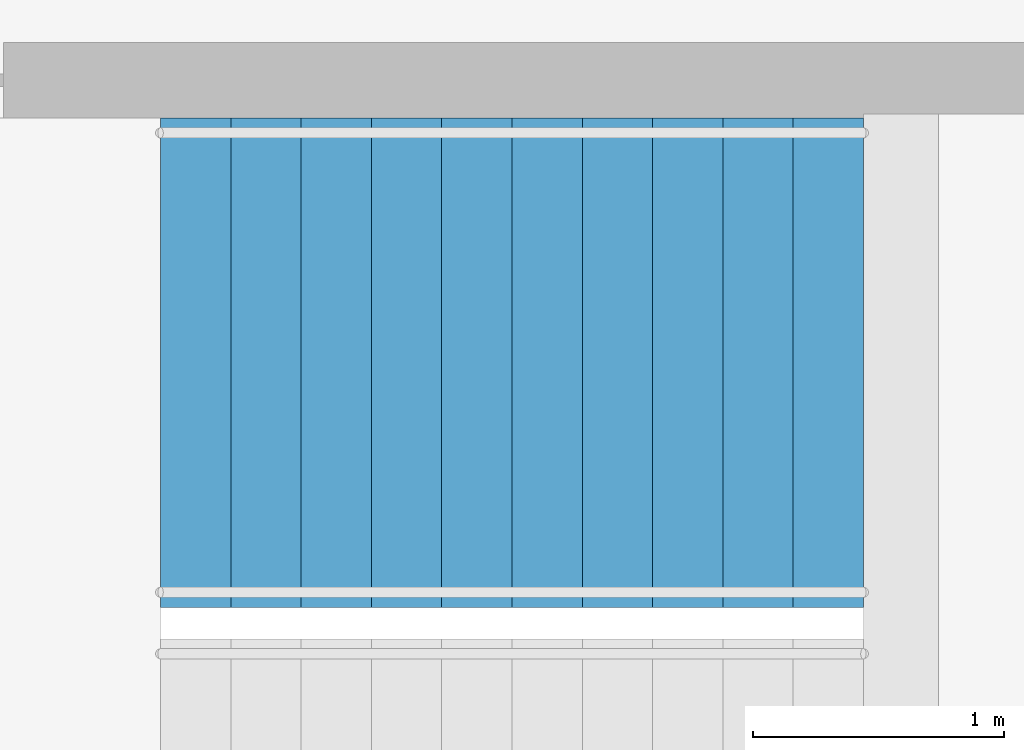
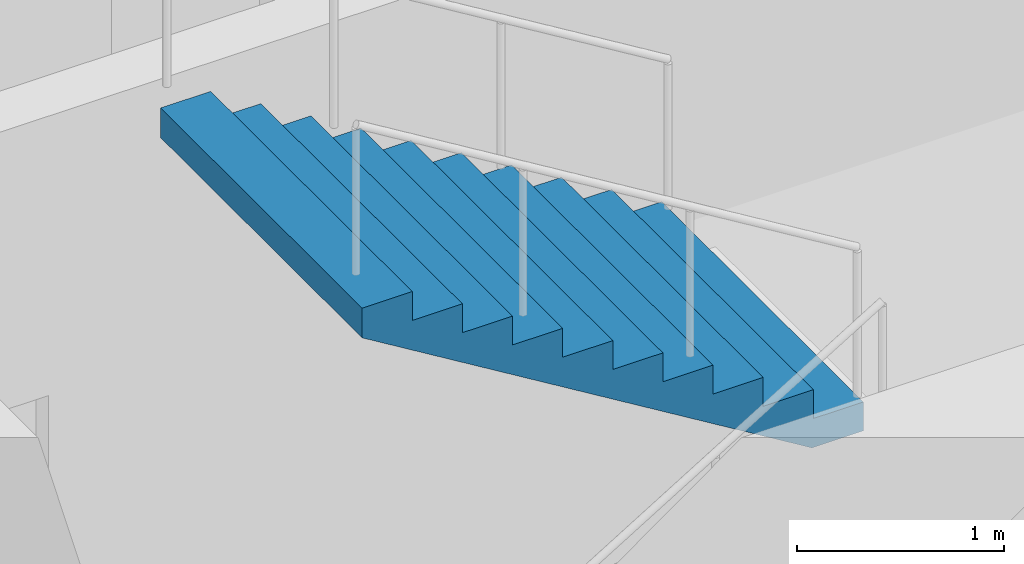
# One storey, part 23 of 27: 1 stair flight, 1 element without a shape of its own.
"""IFC4 building model written with IfcOpenShell, lengths in metres."""

from ifc_helpers import new_model, si_unit, direction, frame, origin, place, context, subcontext, project, spatial, triangles, material, type_object, element, aggregate, save


model = new_model("IFC4")

# Units and contexts
model_context = context("Model", 3, precision=1e-05, world=origin(), true_north=direction((0.0, 1.0)))
body_context = subcontext(model_context, "Body", "Model", "MODEL_VIEW")
ifc_project = project(units=[si_unit("LENGTHUNIT", "METRE"), si_unit("AREAUNIT", "SQUARE_METRE"), si_unit("VOLUMEUNIT", "CUBIC_METRE"), si_unit("PLANEANGLEUNIT", "RADIAN"), si_unit("MASSUNIT", "GRAM", prefix="KILO")], contexts=[model_context])

# Site, building, storey
site_placement = place(None, origin())
site = spatial("IfcSite", under=ifc_project, at=site_placement, CompositionType="ELEMENT")
building_placement = place(site_placement, origin())
building = spatial("IfcBuilding", under=site, at=building_placement, Name="Orbita Commons", CompositionType="ELEMENT")
storey_placement = place(building_placement, frame((0.0, 0.0, 178.60009765625)))
storey = spatial("IfcBuildingStorey", under=building, at=storey_placement, Name="L44", CompositionType="ELEMENT", Elevation=178.60009765625)

# Stair, stair flight
ifc_material_1 = material(Name="Precast concrete C40/50", Category="concrete")
stair_type = type_object("IfcStairType", Name="Exit stair S1 2 flights 11 risers 170", PredefinedType="HALF_TURN_STAIR", material=ifc_material_1)
stair_placement = place(storey_placement, origin())
stair = element("IfcStair", 1, at=stair_placement, inside=storey, type_object=stair_type, Name="Exit stair S1 L44", PredefinedType="HALF_TURN_STAIR")
ifc_material_2 = material(Name="Precast concrete C40/50", Category="concrete")
stair_flight_type = type_object("IfcStairFlightType", Name="Stair flight 11 risers 170 x 280", PredefinedType="STRAIGHT", material=ifc_material_2)
stair_flight_placement = place(storey_placement, frame((23.25, 29.27490234375, 1.875), z_axis=(0.0, 0.0, 1.0), x_axis=(-1.0, 0.0, 0.0)))
stair_flight = element("IfcStairFlight", 2, at=stair_flight_placement, type_object=stair_flight_type, Name="S1 flight 2", NumberOfRisers=11, NumberOfTreads=10, PredefinedType="STRAIGHT", RiserHeight=0.170454545, TreadLength=0.28, context=body_context, shape_type="Tessellation", body=[
    triangles([(0.0, 0.974976, 0.0), (0.0, 0.974976, 0.021307), (0.0, 0.81248, 0.021307), (0.0, 0.81248, 0.0), (0.0, 0.649984, 0.021307), (0.0, 0.649984, 0.0), (0.0, 0.487488, 0.021307), (0.0, 0.487488, 0.0), (0.0, 0.324992, 0.021307), (0.0, 0.324992, 0.0), (0.0, 0.162496, 0.021307), (0.0, 0.162496, 0.0), (0.0, 0.0, 0.021307), (0.0, 0.0, 0.0), (0.0, -0.162496, 0.021307), (0.0, -0.162496, 0.0), (0.0, -0.324992, 0.021307), (0.0, -0.324992, 0.0), (0.0, -0.487488, 0.021307), (0.0, -0.487488, 0.0), (0.0, -0.649984, 0.021307), (0.0, -0.649984, 0.0), (0.0, -0.81248, 0.021307), (0.0, -0.81248, 0.0), (0.0, -0.974976, 0.021307), (0.0, -0.974976, 0.0), (0.0, 0.974976, 0.042614), (0.0, 0.81248, 0.042614), (0.0, 0.649984, 0.042614), (0.0, 0.487488, 0.042614), (0.0, 0.324992, 0.042614), (0.0, 0.162496, 0.042614), (0.0, 0.0, 0.042614), (0.0, -0.162496, 0.042614), (0.0, -0.324992, 0.042614), (0.0, -0.487488, 0.042614), (0.0, -0.649984, 0.042614), (0.0, -0.81248, 0.042614), (0.0, -0.974976, 0.042614), (0.0, 0.974976, 0.06392), (0.0, 0.81248, 0.06392), (0.0, 0.649984, 0.06392), (0.0, 0.487488, 0.06392), (0.0, 0.324992, 0.06392), (0.0, 0.162496, 0.06392), (0.0, 0.0, 0.06392), (0.0, -0.162496, 0.06392), (0.0, -0.324992, 0.06392), (0.0, -0.487488, 0.06392), (0.0, -0.649984, 0.06392), (0.0, -0.81248, 0.06392), (0.0, -0.974976, 0.06392), (0.0, 0.974976, 0.085227), (0.0, 0.81248, 0.085227), (0.0, 0.649984, 0.085227), (0.0, 0.487488, 0.085227), (0.0, 0.324992, 0.085227), (0.0, 0.162496, 0.085227), (0.0, 0.0, 0.085227), (0.0, -0.162496, 0.085227), (0.0, -0.324992, 0.085227), (0.0, -0.487488, 0.085227), (0.0, -0.649984, 0.085227), (0.0, -0.81248, 0.085227), (0.0, -0.974976, 0.085227), (0.0, 0.974976, 0.106534), (0.0, 0.81248, 0.106534), (0.0, 0.649984, 0.106534), (0.0, 0.487488, 0.106534), (0.0, 0.324992, 0.106534), (0.0, 0.162496, 0.106534), (0.0, 0.0, 0.106534), (0.0, -0.162496, 0.106534), (0.0, -0.324992, 0.106534), (0.0, -0.487488, 0.106534), (0.0, -0.649984, 0.106534), (0.0, -0.81248, 0.106534), (0.0, -0.974976, 0.106534), (0.0, 0.974976, 0.127841), (0.0, 0.81248, 0.127841), (0.0, 0.649984, 0.127841), (0.0, 0.487488, 0.127841), (0.0, 0.324992, 0.127841), (0.0, 0.162496, 0.127841), (0.0, 0.0, 0.127841), (0.0, -0.162496, 0.127841), (0.0, -0.324992, 0.127841), (0.0, -0.487488, 0.127841), (0.0, -0.649984, 0.127841), (0.0, -0.81248, 0.127841), (0.0, -0.974976, 0.127841), (0.0, 0.974976, 0.149148), (0.0, 0.81248, 0.149148), (0.0, 0.649984, 0.149148), (0.0, 0.487488, 0.149148), (0.0, 0.324992, 0.149148), (0.0, 0.162496, 0.149148), (0.0, 0.0, 0.149148), (0.0, -0.162496, 0.149148), (0.0, -0.324992, 0.149148), (0.0, -0.487488, 0.149148), (0.0, -0.649984, 0.149148), (0.0, -0.81248, 0.149148), (0.0, -0.974976, 0.149148), (0.0, 0.974976, 0.170455), (0.0, 0.81248, 0.170455), (0.0, 0.649984, 0.170455), (0.0, 0.487488, 0.170455), (0.0, 0.324992, 0.170455), (0.0, 0.162496, 0.170455), (0.0, 0.0, 0.170455), (0.0, -0.162496, 0.170455), (0.0, -0.324992, 0.170455), (0.0, -0.487488, 0.170455), (0.0, -0.649984, 0.170455), (0.0, -0.81248, 0.170455), (0.0, -0.974976, 0.170455), (0.28, 0.974976, 0.170455), (0.28, 0.81248, 0.170455), (0.28, 0.649984, 0.170455), (0.28, 0.487488, 0.170455), (0.28, 0.324992, 0.170455), (0.28, 0.162496, 0.170455), (0.28, 0.0, 0.170455), (0.28, -0.162496, 0.170455), (0.28, -0.324992, 0.170455), (0.28, -0.487488, 0.170455), (0.28, -0.649984, 0.170455), (0.28, -0.81248, 0.170455), (0.28, -0.974976, 0.170455), (0.28, 0.974976, 0.340909), (0.28, 0.81248, 0.340909), (0.28, 0.649984, 0.340909), (0.28, 0.487488, 0.340909), (0.28, 0.324992, 0.340909), (0.28, 0.162496, 0.340909), (0.28, 0.0, 0.340909), (0.28, -0.162496, 0.340909), (0.28, -0.324992, 0.340909), (0.28, -0.487488, 0.340909), (0.28, -0.649984, 0.340909), (0.28, -0.81248, 0.340909), (0.28, -0.974976, 0.340909), (0.56, 0.974976, 0.340909), (0.56, 0.81248, 0.340909), (0.56, 0.649984, 0.340909), (0.56, 0.487488, 0.340909), (0.56, 0.324992, 0.340909), (0.56, 0.162496, 0.340909), (0.56, 0.0, 0.340909), (0.56, -0.162496, 0.340909), (0.56, -0.324992, 0.340909), (0.56, -0.487488, 0.340909), (0.56, -0.649984, 0.340909), (0.56, -0.81248, 0.340909), (0.56, -0.974976, 0.340909), (0.56, 0.974976, 0.511364), (0.56, 0.81248, 0.511364), (0.56, 0.649984, 0.511364), (0.56, 0.487488, 0.511364), (0.56, 0.324992, 0.511364), (0.56, 0.162496, 0.511364), (0.56, 0.0, 0.511364), (0.56, -0.162496, 0.511364), (0.56, -0.324992, 0.511364), (0.56, -0.487488, 0.511364), (0.56, -0.649984, 0.511364), (0.56, -0.81248, 0.511364), (0.56, -0.974976, 0.511364), (0.84, 0.974976, 0.511364), (0.84, 0.81248, 0.511364), (0.84, 0.649984, 0.511364), (0.84, 0.487488, 0.511364), (0.84, 0.324992, 0.511364), (0.84, 0.162496, 0.511364), (0.84, 0.0, 0.511364), (0.84, -0.162496, 0.511364), (0.84, -0.324992, 0.511364), (0.84, -0.487488, 0.511364), (0.84, -0.649984, 0.511364), (0.84, -0.81248, 0.511364), (0.84, -0.974976, 0.511364), (0.84, 0.974976, 0.681818), (0.84, 0.81248, 0.681818), (0.84, 0.649984, 0.681818), (0.84, 0.487488, 0.681818), (0.84, 0.324992, 0.681818), (0.84, 0.162496, 0.681818), (0.84, 0.0, 0.681818), (0.84, -0.162496, 0.681818), (0.84, -0.324992, 0.681818), (0.84, -0.487488, 0.681818), (0.84, -0.649984, 0.681818), (0.84, -0.81248, 0.681818), (0.84, -0.974976, 0.681818), (1.12, 0.974976, 0.681818), (1.12, 0.81248, 0.681818), (1.12, 0.649984, 0.681818), (1.12, 0.487488, 0.681818), (1.12, 0.324992, 0.681818), (1.12, 0.162496, 0.681818), (1.12, 0.0, 0.681818), (1.12, -0.162496, 0.681818), (1.12, -0.324992, 0.681818), (1.12, -0.487488, 0.681818), (1.12, -0.649984, 0.681818), (1.12, -0.81248, 0.681818), (1.12, -0.974976, 0.681818), (1.12, 0.974976, 0.852273), (1.12, 0.81248, 0.852273), (1.12, 0.649984, 0.852273), (1.12, 0.487488, 0.852273), (1.12, 0.324992, 0.852273), (1.12, 0.162496, 0.852273), (1.12, 0.0, 0.852273), (1.12, -0.162496, 0.852273), (1.12, -0.324992, 0.852273), (1.12, -0.487488, 0.852273), (1.12, -0.649984, 0.852273), (1.12, -0.81248, 0.852273), (1.12, -0.974976, 0.852273), (1.4, 0.974976, 0.852273), (1.4, 0.81248, 0.852273), (1.4, 0.649984, 0.852273), (1.4, 0.487488, 0.852273), (1.4, 0.324992, 0.852273), (1.4, 0.162496, 0.852273), (1.4, 0.0, 0.852273), (1.4, -0.162496, 0.852273), (1.4, -0.324992, 0.852273), (1.4, -0.487488, 0.852273), (1.4, -0.649984, 0.852273), (1.4, -0.81248, 0.852273), (1.4, -0.974976, 0.852273), (1.4, 0.974976, 1.022727), (1.4, 0.81248, 1.022727), (1.4, 0.649984, 1.022727), (1.4, 0.487488, 1.022727), (1.4, 0.324992, 1.022727), (1.4, 0.162496, 1.022727), (1.4, 0.0, 1.022727), (1.4, -0.162496, 1.022727), (1.4, -0.324992, 1.022727), (1.4, -0.487488, 1.022727), (1.4, -0.649984, 1.022727), (1.4, -0.81248, 1.022727), (1.4, -0.974976, 1.022727), (1.68, 0.974976, 1.022727), (1.68, 0.81248, 1.022727), (1.68, 0.649984, 1.022727), (1.68, 0.487488, 1.022727), (1.68, 0.324992, 1.022727), (1.68, 0.162496, 1.022727), (1.68, 0.0, 1.022727), (1.68, -0.162496, 1.022727), (1.68, -0.324992, 1.022727), (1.68, -0.487488, 1.022727), (1.68, -0.649984, 1.022727), (1.68, -0.81248, 1.022727), (1.68, -0.974976, 1.022727), (1.68, 0.974976, 1.193182), (1.68, 0.81248, 1.193182), (1.68, 0.649984, 1.193182), (1.68, 0.487488, 1.193182), (1.68, 0.324992, 1.193182), (1.68, 0.162496, 1.193182), (1.68, 0.0, 1.193182), (1.68, -0.162496, 1.193182), (1.68, -0.324992, 1.193182), (1.68, -0.487488, 1.193182), (1.68, -0.649984, 1.193182), (1.68, -0.81248, 1.193182), (1.68, -0.974976, 1.193182), (1.96, 0.974976, 1.193182), (1.96, 0.81248, 1.193182), (1.96, 0.649984, 1.193182), (1.96, 0.487488, 1.193182), (1.96, 0.324992, 1.193182), (1.96, 0.162496, 1.193182), (1.96, 0.0, 1.193182), (1.96, -0.162496, 1.193182), (1.96, -0.324992, 1.193182), (1.96, -0.487488, 1.193182), (1.96, -0.649984, 1.193182), (1.96, -0.81248, 1.193182), (1.96, -0.974976, 1.193182), (1.96, 0.974976, 1.363636), (1.96, 0.81248, 1.363636), (1.96, 0.649984, 1.363636), (1.96, 0.487488, 1.363636), (1.96, 0.324992, 1.363636), (1.96, 0.162496, 1.363636), (1.96, 0.0, 1.363636), (1.96, -0.162496, 1.363636), (1.96, -0.324992, 1.363636), (1.96, -0.487488, 1.363636), (1.96, -0.649984, 1.363636), (1.96, -0.81248, 1.363636), (1.96, -0.974976, 1.363636), (2.24, 0.974976, 1.363636), (2.24, 0.81248, 1.363636), (2.24, 0.649984, 1.363636), (2.24, 0.487488, 1.363636), (2.24, 0.324992, 1.363636), (2.24, 0.162496, 1.363636), (2.24, 0.0, 1.363636), (2.24, -0.162496, 1.363636), (2.24, -0.324992, 1.363636), (2.24, -0.487488, 1.363636), (2.24, -0.649984, 1.363636), (2.24, -0.81248, 1.363636), (2.24, -0.974976, 1.363636), (2.24, 0.974976, 1.534091), (2.24, 0.81248, 1.534091), (2.24, 0.649984, 1.534091), (2.24, 0.487488, 1.534091), (2.24, 0.324992, 1.534091), (2.24, 0.162496, 1.534091), (2.24, 0.0, 1.534091), (2.24, -0.162496, 1.534091), (2.24, -0.324992, 1.534091), (2.24, -0.487488, 1.534091), (2.24, -0.649984, 1.534091), (2.24, -0.81248, 1.534091), (2.24, -0.974976, 1.534091), (2.52, 0.974976, 1.534091), (2.52, 0.81248, 1.534091), (2.52, 0.649984, 1.534091), (2.52, 0.487488, 1.534091), (2.52, 0.324992, 1.534091), (2.52, 0.162496, 1.534091), (2.52, 0.0, 1.534091), (2.52, -0.162496, 1.534091), (2.52, -0.324992, 1.534091), (2.52, -0.487488, 1.534091), (2.52, -0.649984, 1.534091), (2.52, -0.81248, 1.534091), (2.52, -0.974976, 1.534091), (2.52, 0.974976, 1.704545), (2.52, 0.81248, 1.704545), (2.52, 0.649984, 1.704545), (2.52, 0.487488, 1.704545), (2.52, 0.324992, 1.704545), (2.52, 0.162496, 1.704545), (2.52, 0.0, 1.704545), (2.52, -0.162496, 1.704545), (2.52, -0.324992, 1.704545), (2.52, -0.487488, 1.704545), (2.52, -0.649984, 1.704545), (2.52, -0.81248, 1.704545), (2.52, -0.974976, 1.704545), (2.8, 0.974976, 1.704545), (2.8, 0.81248, 1.704545), (2.8, 0.649984, 1.704545), (2.8, 0.487488, 1.704545), (2.8, 0.324992, 1.704545), (2.8, 0.162496, 1.704545), (2.8, 0.0, 1.704545), (2.8, -0.162496, 1.704545), (2.8, -0.324992, 1.704545), (2.8, -0.487488, 1.704545), (2.8, -0.649984, 1.704545), (2.8, -0.81248, 1.704545), (2.8, -0.974976, 1.704545), (2.8, 0.974976, 1.682609), (2.8, 0.81248, 1.682609), (2.8, 0.649984, 1.682609), (2.8, 0.487488, 1.682609), (2.8, 0.324992, 1.682609), (2.8, 0.162496, 1.682609), (2.8, 0.0, 1.682609), (2.8, -0.162496, 1.682609), (2.8, -0.324992, 1.682609), (2.8, -0.487488, 1.682609), (2.8, -0.649984, 1.682609), (2.8, -0.81248, 1.682609), (2.8, -0.974976, 1.682609), (2.8, 0.974976, 1.660672), (2.8, 0.81248, 1.660672), (2.8, 0.649984, 1.660672), (2.8, 0.487488, 1.660672), (2.8, 0.324992, 1.660672), (2.8, 0.162496, 1.660672), (2.8, 0.0, 1.660672), (2.8, -0.162496, 1.660672), (2.8, -0.324992, 1.660672), (2.8, -0.487488, 1.660672), (2.8, -0.649984, 1.660672), (2.8, -0.81248, 1.660672), (2.8, -0.974976, 1.660672), (2.8, 0.974976, 1.638735), (2.8, 0.81248, 1.638735), (2.8, 0.649984, 1.638735), (2.8, 0.487488, 1.638735), (2.8, 0.324992, 1.638735), (2.8, 0.162496, 1.638735), (2.8, 0.0, 1.638735), (2.8, -0.162496, 1.638735), (2.8, -0.324992, 1.638735), (2.8, -0.487488, 1.638735), (2.8, -0.649984, 1.638735), (2.8, -0.81248, 1.638735), (2.8, -0.974976, 1.638735), (2.8, 0.974976, 1.616798), (2.8, 0.81248, 1.616798), (2.8, 0.649984, 1.616798), (2.8, 0.487488, 1.616798), (2.8, 0.324992, 1.616798), (2.8, 0.162496, 1.616798), (2.8, 0.0, 1.616798), (2.8, -0.162496, 1.616798), (2.8, -0.324992, 1.616798), (2.8, -0.487488, 1.616798), (2.8, -0.649984, 1.616798), (2.8, -0.81248, 1.616798), (2.8, -0.974976, 1.616798), (2.8, 0.974976, 1.594861), (2.8, 0.81248, 1.594861), (2.8, 0.649984, 1.594861), (2.8, 0.487488, 1.594861), (2.8, 0.324992, 1.594861), (2.8, 0.162496, 1.594861), (2.8, 0.0, 1.594861), (2.8, -0.162496, 1.594861), (2.8, -0.324992, 1.594861), (2.8, -0.487488, 1.594861), (2.8, -0.649984, 1.594861), (2.8, -0.81248, 1.594861), (2.8, -0.974976, 1.594861), (2.8, 0.974976, 1.572925), (2.8, 0.81248, 1.572925), (2.8, 0.649984, 1.572925), (2.8, 0.487488, 1.572925), (2.8, 0.324992, 1.572925), (2.8, 0.162496, 1.572925), (2.8, 0.0, 1.572925), (2.8, -0.162496, 1.572925), (2.8, -0.324992, 1.572925), (2.8, -0.487488, 1.572925), (2.8, -0.649984, 1.572925), (2.8, -0.81248, 1.572925), (2.8, -0.974976, 1.572925), (2.8, 0.974976, 1.550988), (2.8, 0.81248, 1.550988), (2.8, 0.649984, 1.550988), (2.8, 0.487488, 1.550988), (2.8, 0.324992, 1.550988), (2.8, 0.162496, 1.550988), (2.8, 0.0, 1.550988), (2.8, -0.162496, 1.550988), (2.8, -0.324992, 1.550988), (2.8, -0.487488, 1.550988), (2.8, -0.649984, 1.550988), (2.8, -0.81248, 1.550988), (2.8, -0.974976, 1.550988), (2.8, 0.974976, 1.529051), (2.8, 0.81248, 1.529051), (2.8, 0.649984, 1.529051), (2.8, 0.487488, 1.529051), (2.8, 0.324992, 1.529051), (2.8, 0.162496, 1.529051), (2.8, 0.0, 1.529051), (2.8, -0.162496, 1.529051), (2.8, -0.324992, 1.529051), (2.8, -0.487488, 1.529051), (2.8, -0.649984, 1.529051), (2.8, -0.81248, 1.529051), (2.8, -0.974976, 1.529051), (0.288279, 0.974976, 0.0), (0.288279, 0.81248, 0.0), (0.288279, 0.649984, 0.0), (0.288279, 0.487488, 0.0), (0.288279, 0.324992, 0.0), (0.288279, 0.162496, 0.0), (0.288279, 0.0, 0.0), (0.288279, -0.162496, 0.0), (0.288279, -0.324992, 0.0), (0.288279, -0.487488, 0.0), (0.288279, -0.649984, 0.0), (0.288279, -0.81248, 0.0), (0.288279, -0.974976, 0.0)], [[3, 2, 1], [4, 3, 1], [5, 3, 4], [6, 5, 4], [7, 5, 6], [8, 7, 6], [9, 7, 8], [10, 9, 8], [11, 9, 10], [12, 11, 10], [13, 11, 12], [14, 13, 12], [15, 13, 14], [16, 15, 14], [17, 15, 16], [18, 17, 16], [19, 17, 18], [20, 19, 18], [21, 19, 20], [22, 21, 20], [23, 21, 22], [24, 23, 22], [25, 23, 24], [26, 25, 24], [28, 27, 2], [3, 28, 2], [29, 28, 3], [5, 29, 3], [30, 29, 5], [7, 30, 5], [31, 30, 7], [9, 31, 7], [32, 31, 9], [11, 32, 9], [33, 32, 11], [13, 33, 11], [34, 33, 13], [15, 34, 13], [35, 34, 15], [17, 35, 15], [36, 35, 17], [19, 36, 17], [37, 36, 19], [21, 37, 19], [38, 37, 21], [23, 38, 21], [39, 38, 23], [25, 39, 23], [41, 40, 27], [28, 41, 27], [42, 41, 28], [29, 42, 28], [43, 42, 29], [30, 43, 29], [44, 43, 30], [31, 44, 30], [45, 44, 31], [32, 45, 31], [46, 45, 32], [33, 46, 32], [47, 46, 33], [34, 47, 33], [48, 47, 34], [35, 48, 34], [49, 48, 35], [36, 49, 35], [50, 49, 36], [37, 50, 36], [51, 50, 37], [38, 51, 37], [52, 51, 38], [39, 52, 38], [54, 53, 40], [41, 54, 40], [55, 54, 41], [42, 55, 41], [56, 55, 42], [43, 56, 42], [57, 56, 43], [44, 57, 43], [58, 57, 44], [45, 58, 44], [59, 58, 45], [46, 59, 45], [60, 59, 46], [47, 60, 46], [61, 60, 47], [48, 61, 47], [62, 61, 48], [49, 62, 48], [63, 62, 49], [50, 63, 49], [64, 63, 50], [51, 64, 50], [65, 64, 51], [52, 65, 51], [67, 66, 53], [54, 67, 53], [68, 67, 54], [55, 68, 54], [69, 68, 55], [56, 69, 55], [70, 69, 56], [57, 70, 56], [71, 70, 57], [58, 71, 57], [72, 71, 58], [59, 72, 58], [73, 72, 59], [60, 73, 59], [74, 73, 60], [61, 74, 60], [75, 74, 61], [62, 75, 61], [76, 75, 62], [63, 76, 62], [77, 76, 63], [64, 77, 63], [78, 77, 64], [65, 78, 64], [80, 79, 66], [67, 80, 66], [81, 80, 67], [68, 81, 67], [82, 81, 68], [69, 82, 68], [83, 82, 69], [70, 83, 69], [84, 83, 70], [71, 84, 70], [85, 84, 71], [72, 85, 71], [86, 85, 72], [73, 86, 72], [87, 86, 73], [74, 87, 73], [88, 87, 74], [75, 88, 74], [89, 88, 75], [76, 89, 75], [90, 89, 76], [77, 90, 76], [91, 90, 77], [78, 91, 77], [93, 92, 79], [80, 93, 79], [94, 93, 80], [81, 94, 80], [95, 94, 81], [82, 95, 81], [96, 95, 82], [83, 96, 82], [97, 96, 83], [84, 97, 83], [98, 97, 84], [85, 98, 84], [99, 98, 85], [86, 99, 85], [100, 99, 86], [87, 100, 86], [101, 100, 87], [88, 101, 87], [102, 101, 88], [89, 102, 88], [103, 102, 89], [90, 103, 89], [104, 103, 90], [91, 104, 90], [106, 105, 92], [93, 106, 92], [107, 106, 93], [94, 107, 93], [108, 107, 94], [95, 108, 94], [109, 108, 95], [96, 109, 95], [110, 109, 96], [97, 110, 96], [111, 110, 97], [98, 111, 97], [112, 111, 98], [99, 112, 98], [113, 112, 99], [100, 113, 99], [114, 113, 100], [101, 114, 100], [115, 114, 101], [102, 115, 101], [116, 115, 102], [103, 116, 102], [117, 116, 103], [104, 117, 103], [119, 118, 105], [106, 119, 105], [120, 119, 106], [107, 120, 106], [121, 120, 107], [108, 121, 107], [122, 121, 108], [109, 122, 108], [123, 122, 109], [110, 123, 109], [124, 123, 110], [111, 124, 110], [125, 124, 111], [112, 125, 111], [126, 125, 112], [113, 126, 112], [127, 126, 113], [114, 127, 113], [128, 127, 114], [115, 128, 114], [129, 128, 115], [116, 129, 115], [130, 129, 116], [117, 130, 116], [132, 131, 118], [119, 132, 118], [133, 132, 119], [120, 133, 119], [134, 133, 120], [121, 134, 120], [135, 134, 121], [122, 135, 121], [136, 135, 122], [123, 136, 122], [137, 136, 123], [124, 137, 123], [138, 137, 124], [125, 138, 124], [139, 138, 125], [126, 139, 125], [140, 139, 126], [127, 140, 126], [141, 140, 127], [128, 141, 127], [142, 141, 128], [129, 142, 128], [143, 142, 129], [130, 143, 129], [145, 144, 131], [132, 145, 131], [146, 145, 132], [133, 146, 132], [147, 146, 133], [134, 147, 133], [148, 147, 134], [135, 148, 134], [149, 148, 135], [136, 149, 135], [150, 149, 136], [137, 150, 136], [151, 150, 137], [138, 151, 137], [152, 151, 138], [139, 152, 138], [153, 152, 139], [140, 153, 139], [154, 153, 140], [141, 154, 140], [155, 154, 141], [142, 155, 141], [156, 155, 142], [143, 156, 142], [158, 157, 144], [145, 158, 144], [159, 158, 145], [146, 159, 145], [160, 159, 146], [147, 160, 146], [161, 160, 147], [148, 161, 147], [162, 161, 148], [149, 162, 148], [163, 162, 149], [150, 163, 149], [164, 163, 150], [151, 164, 150], [165, 164, 151], [152, 165, 151], [166, 165, 152], [153, 166, 152], [167, 166, 153], [154, 167, 153], [168, 167, 154], [155, 168, 154], [169, 168, 155], [156, 169, 155], [171, 170, 157], [158, 171, 157], [172, 171, 158], [159, 172, 158], [173, 172, 159], [160, 173, 159], [174, 173, 160], [161, 174, 160], [175, 174, 161], [162, 175, 161], [176, 175, 162], [163, 176, 162], [177, 176, 163], [164, 177, 163], [178, 177, 164], [165, 178, 164], [179, 178, 165], [166, 179, 165], [180, 179, 166], [167, 180, 166], [181, 180, 167], [168, 181, 167], [182, 181, 168], [169, 182, 168], [184, 183, 170], [171, 184, 170], [185, 184, 171], [172, 185, 171], [186, 185, 172], [173, 186, 172], [187, 186, 173], [174, 187, 173], [188, 187, 174], [175, 188, 174], [189, 188, 175], [176, 189, 175], [190, 189, 176], [177, 190, 176], [191, 190, 177], [178, 191, 177], [192, 191, 178], [179, 192, 178], [193, 192, 179], [180, 193, 179], [194, 193, 180], [181, 194, 180], [195, 194, 181], [182, 195, 181], [197, 196, 183], [184, 197, 183], [198, 197, 184], [185, 198, 184], [199, 198, 185], [186, 199, 185], [200, 199, 186], [187, 200, 186], [201, 200, 187], [188, 201, 187], [202, 201, 188], [189, 202, 188], [203, 202, 189], [190, 203, 189], [204, 203, 190], [191, 204, 190], [205, 204, 191], [192, 205, 191], [206, 205, 192], [193, 206, 192], [207, 206, 193], [194, 207, 193], [208, 207, 194], [195, 208, 194], [210, 209, 196], [197, 210, 196], [211, 210, 197], [198, 211, 197], [212, 211, 198], [199, 212, 198], [213, 212, 199], [200, 213, 199], [214, 213, 200], [201, 214, 200], [215, 214, 201], [202, 215, 201], [216, 215, 202], [203, 216, 202], [217, 216, 203], [204, 217, 203], [218, 217, 204], [205, 218, 204], [219, 218, 205], [206, 219, 205], [220, 219, 206], [207, 220, 206], [221, 220, 207], [208, 221, 207], [223, 222, 209], [210, 223, 209], [224, 223, 210], [211, 224, 210], [225, 224, 211], [212, 225, 211], [226, 225, 212], [213, 226, 212], [227, 226, 213], [214, 227, 213], [228, 227, 214], [215, 228, 214], [229, 228, 215], [216, 229, 215], [230, 229, 216], [217, 230, 216], [231, 230, 217], [218, 231, 217], [232, 231, 218], [219, 232, 218], [233, 232, 219], [220, 233, 219], [234, 233, 220], [221, 234, 220], [236, 235, 222], [223, 236, 222], [237, 236, 223], [224, 237, 223], [238, 237, 224], [225, 238, 224], [239, 238, 225], [226, 239, 225], [240, 239, 226], [227, 240, 226], [241, 240, 227], [228, 241, 227], [242, 241, 228], [229, 242, 228], [243, 242, 229], [230, 243, 229], [244, 243, 230], [231, 244, 230], [245, 244, 231], [232, 245, 231], [246, 245, 232], [233, 246, 232], [247, 246, 233], [234, 247, 233], [249, 248, 235], [236, 249, 235], [250, 249, 236], [237, 250, 236], [251, 250, 237], [238, 251, 237], [252, 251, 238], [239, 252, 238], [253, 252, 239], [240, 253, 239], [254, 253, 240], [241, 254, 240], [255, 254, 241], [242, 255, 241], [256, 255, 242], [243, 256, 242], [257, 256, 243], [244, 257, 243], [258, 257, 244], [245, 258, 244], [259, 258, 245], [246, 259, 245], [260, 259, 246], [247, 260, 246], [262, 261, 248], [249, 262, 248], [263, 262, 249], [250, 263, 249], [264, 263, 250], [251, 264, 250], [265, 264, 251], [252, 265, 251], [266, 265, 252], [253, 266, 252], [267, 266, 253], [254, 267, 253], [268, 267, 254], [255, 268, 254], [269, 268, 255], [256, 269, 255], [270, 269, 256], [257, 270, 256], [271, 270, 257], [258, 271, 257], [272, 271, 258], [259, 272, 258], [273, 272, 259], [260, 273, 259], [275, 274, 261], [262, 275, 261], [276, 275, 262], [263, 276, 262], [277, 276, 263], [264, 277, 263], [278, 277, 264], [265, 278, 264], [279, 278, 265], [266, 279, 265], [280, 279, 266], [267, 280, 266], [281, 280, 267], [268, 281, 267], [282, 281, 268], [269, 282, 268], [283, 282, 269], [270, 283, 269], [284, 283, 270], [271, 284, 270], [285, 284, 271], [272, 285, 271], [286, 285, 272], [273, 286, 272], [288, 287, 274], [275, 288, 274], [289, 288, 275], [276, 289, 275], [290, 289, 276], [277, 290, 276], [291, 290, 277], [278, 291, 277], [292, 291, 278], [279, 292, 278], [293, 292, 279], [280, 293, 279], [294, 293, 280], [281, 294, 280], [295, 294, 281], [282, 295, 281], [296, 295, 282], [283, 296, 282], [297, 296, 283], [284, 297, 283], [298, 297, 284], [285, 298, 284], [299, 298, 285], [286, 299, 285], [301, 300, 287], [288, 301, 287], [302, 301, 288], [289, 302, 288], [303, 302, 289], [290, 303, 289], [304, 303, 290], [291, 304, 290], [305, 304, 291], [292, 305, 291], [306, 305, 292], [293, 306, 292], [307, 306, 293], [294, 307, 293], [308, 307, 294], [295, 308, 294], [309, 308, 295], [296, 309, 295], [310, 309, 296], [297, 310, 296], [311, 310, 297], [298, 311, 297], [312, 311, 298], [299, 312, 298], [314, 313, 300], [301, 314, 300], [315, 314, 301], [302, 315, 301], [316, 315, 302], [303, 316, 302], [317, 316, 303], [304, 317, 303], [318, 317, 304], [305, 318, 304], [319, 318, 305], [306, 319, 305], [320, 319, 306], [307, 320, 306], [321, 320, 307], [308, 321, 307], [322, 321, 308], [309, 322, 308], [323, 322, 309], [310, 323, 309], [324, 323, 310], [311, 324, 310], [325, 324, 311], [312, 325, 311], [327, 326, 313], [314, 327, 313], [328, 327, 314], [315, 328, 314], [329, 328, 315], [316, 329, 315], [330, 329, 316], [317, 330, 316], [331, 330, 317], [318, 331, 317], [332, 331, 318], [319, 332, 318], [333, 332, 319], [320, 333, 319], [334, 333, 320], [321, 334, 320], [335, 334, 321], [322, 335, 321], [336, 335, 322], [323, 336, 322], [337, 336, 323], [324, 337, 323], [338, 337, 324], [325, 338, 324], [340, 339, 326], [327, 340, 326], [341, 340, 327], [328, 341, 327], [342, 341, 328], [329, 342, 328], [343, 342, 329], [330, 343, 329], [344, 343, 330], [331, 344, 330], [345, 344, 331], [332, 345, 331], [346, 345, 332], [333, 346, 332], [347, 346, 333], [334, 347, 333], [348, 347, 334], [335, 348, 334], [349, 348, 335], [336, 349, 335], [350, 349, 336], [337, 350, 336], [351, 350, 337], [338, 351, 337], [353, 352, 339], [340, 353, 339], [354, 353, 340], [341, 354, 340], [355, 354, 341], [342, 355, 341], [356, 355, 342], [343, 356, 342], [357, 356, 343], [344, 357, 343], [358, 357, 344], [345, 358, 344], [359, 358, 345], [346, 359, 345], [360, 359, 346], [347, 360, 346], [361, 360, 347], [348, 361, 347], [362, 361, 348], [349, 362, 348], [363, 362, 349], [350, 363, 349], [364, 363, 350], [351, 364, 350], [366, 365, 352], [353, 366, 352], [367, 366, 353], [354, 367, 353], [368, 367, 354], [355, 368, 354], [369, 368, 355], [356, 369, 355], [370, 369, 356], [357, 370, 356], [371, 370, 357], [358, 371, 357], [372, 371, 358], [359, 372, 358], [373, 372, 359], [360, 373, 359], [374, 373, 360], [361, 374, 360], [375, 374, 361], [362, 375, 361], [376, 375, 362], [363, 376, 362], [377, 376, 363], [364, 377, 363], [379, 378, 365], [366, 379, 365], [380, 379, 366], [367, 380, 366], [381, 380, 367], [368, 381, 367], [382, 381, 368], [369, 382, 368], [383, 382, 369], [370, 383, 369], [384, 383, 370], [371, 384, 370], [385, 384, 371], [372, 385, 371], [386, 385, 372], [373, 386, 372], [387, 386, 373], [374, 387, 373], [388, 387, 374], [375, 388, 374], [389, 388, 375], [376, 389, 375], [390, 389, 376], [377, 390, 376], [392, 391, 378], [379, 392, 378], [393, 392, 379], [380, 393, 379], [394, 393, 380], [381, 394, 380], [395, 394, 381], [382, 395, 381], [396, 395, 382], [383, 396, 382], [397, 396, 383], [384, 397, 383], [398, 397, 384], [385, 398, 384], [399, 398, 385], [386, 399, 385], [400, 399, 386], [387, 400, 386], [401, 400, 387], [388, 401, 387], [402, 401, 388], [389, 402, 388], [403, 402, 389], [390, 403, 389], [405, 404, 391], [392, 405, 391], [406, 405, 392], [393, 406, 392], [407, 406, 393], [394, 407, 393], [408, 407, 394], [395, 408, 394], [409, 408, 395], [396, 409, 395], [410, 409, 396], [397, 410, 396], [411, 410, 397], [398, 411, 397], [412, 411, 398], [399, 412, 398], [413, 412, 399], [400, 413, 399], [414, 413, 400], [401, 414, 400], [415, 414, 401], [402, 415, 401], [416, 415, 402], [403, 416, 402], [418, 417, 404], [405, 418, 404], [419, 418, 405], [406, 419, 405], [420, 419, 406], [407, 420, 406], [421, 420, 407], [408, 421, 407], [422, 421, 408], [409, 422, 408], [423, 422, 409], [410, 423, 409], [424, 423, 410], [411, 424, 410], [425, 424, 411], [412, 425, 411], [426, 425, 412], [413, 426, 412], [427, 426, 413], [414, 427, 413], [428, 427, 414], [415, 428, 414], [429, 428, 415], [416, 429, 415], [431, 430, 417], [418, 431, 417], [432, 431, 418], [419, 432, 418], [433, 432, 419], [420, 433, 419], [434, 433, 420], [421, 434, 420], [435, 434, 421], [422, 435, 421], [436, 435, 422], [423, 436, 422], [437, 436, 423], [424, 437, 423], [438, 437, 424], [425, 438, 424], [439, 438, 425], [426, 439, 425], [440, 439, 426], [427, 440, 426], [441, 440, 427], [428, 441, 427], [442, 441, 428], [429, 442, 428], [444, 443, 430], [431, 444, 430], [445, 444, 431], [432, 445, 431], [446, 445, 432], [433, 446, 432], [447, 446, 433], [434, 447, 433], [448, 447, 434], [435, 448, 434], [449, 448, 435], [436, 449, 435], [450, 449, 436], [437, 450, 436], [451, 450, 437], [438, 451, 437], [452, 451, 438], [439, 452, 438], [453, 452, 439], [440, 453, 439], [454, 453, 440], [441, 454, 440], [455, 454, 441], [442, 455, 441], [457, 456, 443], [444, 457, 443], [458, 457, 444], [445, 458, 444], [459, 458, 445], [446, 459, 445], [460, 459, 446], [447, 460, 446], [461, 460, 447], [448, 461, 447], [462, 461, 448], [449, 462, 448], [463, 462, 449], [450, 463, 449], [464, 463, 450], [451, 464, 450], [465, 464, 451], [452, 465, 451], [466, 465, 452], [453, 466, 452], [467, 466, 453], [454, 467, 453], [468, 467, 454], [455, 468, 454], [470, 469, 456], [457, 470, 456], [471, 470, 457], [458, 471, 457], [472, 471, 458], [459, 472, 458], [473, 472, 459], [460, 473, 459], [474, 473, 460], [461, 474, 460], [475, 474, 461], [462, 475, 461], [476, 475, 462], [463, 476, 462], [477, 476, 463], [464, 477, 463], [478, 477, 464], [465, 478, 464], [479, 478, 465], [466, 479, 465], [480, 479, 466], [467, 480, 466], [481, 480, 467], [468, 481, 467], [4, 1, 469], [470, 4, 469], [6, 4, 470], [471, 6, 470], [8, 6, 471], [472, 8, 471], [10, 8, 472], [473, 10, 472], [12, 10, 473], [474, 12, 473], [14, 12, 474], [475, 14, 474], [16, 14, 475], [476, 16, 475], [18, 16, 476], [477, 18, 476], [20, 18, 477], [478, 20, 477], [22, 20, 478], [479, 22, 478], [24, 22, 479], [480, 24, 479], [26, 24, 480], [481, 26, 480], [456, 469, 1], [26, 481, 468], [443, 456, 1], [26, 468, 455], [430, 443, 1], [26, 455, 442], [417, 430, 1], [26, 442, 429], [404, 417, 1], [26, 429, 416], [391, 404, 1], [26, 416, 403], [378, 391, 1], [26, 403, 390], [365, 378, 1], [26, 390, 377], [339, 352, 365], [377, 364, 351], [326, 339, 365], [377, 351, 338], [300, 313, 326], [338, 325, 312], [300, 326, 365], [377, 338, 312], [274, 287, 300], [312, 299, 286], [274, 300, 365], [377, 312, 286], [248, 261, 274], [286, 273, 260], [248, 274, 365], [377, 286, 260], [222, 235, 248], [260, 247, 234], [222, 248, 365], [377, 260, 234], [196, 209, 222], [234, 221, 208], [196, 222, 365], [377, 234, 208], [170, 183, 196], [208, 195, 182], [170, 196, 365], [377, 208, 182], [144, 157, 170], [182, 169, 156], [144, 170, 365], [377, 182, 156], [118, 131, 144], [156, 143, 130], [118, 144, 365], [377, 156, 130], [118, 365, 1], [26, 377, 130], [92, 105, 118], [130, 117, 104], [79, 92, 118], [130, 104, 91], [66, 79, 118], [130, 91, 78], [53, 66, 118], [130, 78, 65], [40, 53, 118], [130, 65, 52], [27, 40, 118], [130, 52, 39], [2, 27, 118], [130, 39, 25], [1, 2, 118], [130, 25, 26]], closed=True),
])
aggregate(stair, [stair_flight])

save(model, "model.ifc")
